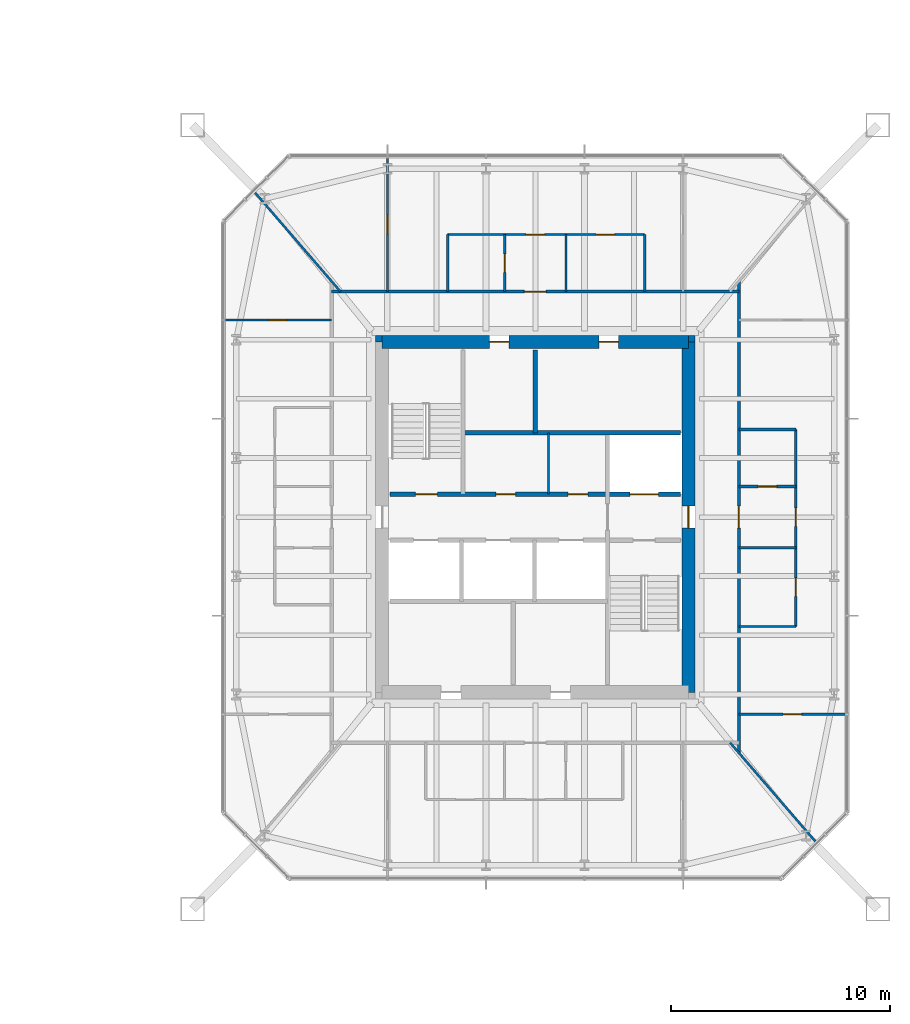
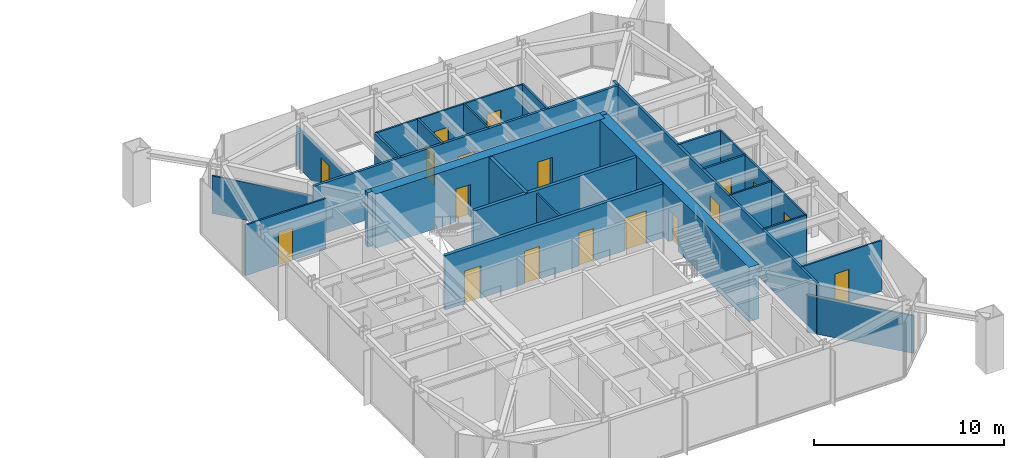
# One storey, part 18 of 25: 25 walls, 18 doors, 18 openings.
"""IFC4 building model written with IfcOpenShell, lengths in metres."""

from ifc_helpers import new_model, si_unit, direction, frame, frame_2d, origin, place, context, subcontext, project, spatial, rectangle, extrude, material, layer, layer_set, type_object, element, fill, save


model = new_model("IFC4")

# Units and contexts
model_context = context("Model", 3, precision=1e-05, world=origin(), true_north=direction((0.0, 1.0)))
body_context = subcontext(model_context, "Body", "Model", "MODEL_VIEW")
ifc_project = project(units=[si_unit("LENGTHUNIT", "METRE"), si_unit("AREAUNIT", "SQUARE_METRE"), si_unit("VOLUMEUNIT", "CUBIC_METRE"), si_unit("PLANEANGLEUNIT", "RADIAN"), si_unit("MASSUNIT", "GRAM", prefix="KILO")], contexts=[model_context])

# Site, building, storey
site_placement = place(None, origin())
site = spatial("IfcSite", under=ifc_project, at=site_placement, CompositionType="ELEMENT")
building_placement = place(site_placement, origin())
building = spatial("IfcBuilding", under=site, at=building_placement, Name="Iwan Alto Co-Living Towers", CompositionType="ELEMENT")
storey_placement = place(building_placement, frame((0.0, 0.0, 112.0)))
storey = spatial("IfcBuildingStorey", under=building, at=storey_placement, Name="L30", CompositionType="ELEMENT", Elevation=112.0)

# Wall, opening, door
ifc_material_1 = material(Name="Gypsum board")
ifc_layer_1 = layer(ifc_material_1, 0.02490234375, Name="Board", Category="Finish")
ifc_material_2 = material(Name="Steel ASTM A1003 ST33H cold-formed studs", Category="steel")
ifc_layer_2 = layer(ifc_material_2, 0.10009765625, Name="Studs", Category="Framing")
ifc_layer_3 = layer(ifc_material_1, 0.02490234375, Name="Board", Category="Finish")
ifc_layer_set_1 = layer_set([ifc_layer_1, ifc_layer_2, ifc_layer_3], Name="CORRIDOR WALL 150")
wall_type_1 = type_object("IfcWallType", Name="CORRIDOR WALL 150", PredefinedType="PARTITIONING", material=ifc_layer_set_1)
wall_1_placement = place(storey_placement, frame((53.699951171875, 10.300048828125, 0.0), z_axis=(0.0, 0.0, 1.0), x_axis=(1.0, 0.0, 0.0)))
wall_1 = element("IfcWall", 1, at=wall_1_placement, inside=storey, type_object=wall_type_1, Name="Partition L30", PredefinedType="PARTITIONING", context=body_context, shape_type="SweptSolid", body=[
    extrude(rectangle(XDim=18.60009765625, YDim=0.14990234375, at=frame_2d((9.300048828125, 0.0))), origin(), (0.0, 0.0, 1.0), 3.27001953125),
])
opening_1_placement = place(wall_1_placement, frame((8.800048828125, 0.0, 0.0)))
opening_1 = element("IfcOpeningElement", 2, at=opening_1_placement, cuts=wall_1, Name="Opening D3", PredefinedType="OPENING", context=body_context, shape_type="SweptSolid", body=[
    extrude(rectangle(XDim=1.0, YDim=2.10009765625, at=frame_2d((0.5, 1.050048828125))), frame((0.0, 0.0849609375, 0.0), z_axis=(0.0, -1.0, 0.0), x_axis=(1.0, 0.0, 0.0)), (0.0, 0.0, 1.0), 0.169921875),
])
ifc_material_3 = material(Name="Steel frame with timber leaf", Category="steel")
door_type_1 = type_object("IfcDoorType", Name="FLAT ENTRANCE DOOR FD30S 1000X2100", OperationType="SINGLE_SWING_LEFT", PredefinedType="DOOR", material=ifc_material_3)
door_1_placement = place(opening_1_placement, origin())
door_1 = element("IfcDoor", 3, at=door_1_placement, inside=storey, type_object=door_type_1, Name="Apartment foyer door L30", OperationType="SINGLE_SWING_LEFT", OverallHeight=2.10009765625, OverallWidth=1.0, PredefinedType="DOOR", context=body_context, shape_type="SweptSolid", body=[
    extrude(rectangle(XDim=1.0, YDim=2.10009765625, at=frame_2d((0.5, 1.050048828125))), frame((0.0, 0.02490234375, 0.0), z_axis=(0.0, -1.0, 0.0), x_axis=(1.0, 0.0, 0.0)), (0.0, 0.0, 1.0), 0.050048828125),
])
fill(opening_1, door_1)

wall_2_placement = place(storey_placement, frame((72.300048828125, -10.76806640625, 0.0), z_axis=(0.0, 0.0, 1.0), x_axis=(0.0, 1.0, 0.0)))
wall_2 = element("IfcWall", 4, at=wall_2_placement, inside=storey, type_object=wall_type_1, Name="Partition L30", PredefinedType="PARTITIONING", context=body_context, shape_type="SweptSolid", body=[
    extrude(rectangle(XDim=21.5361328125, YDim=0.14990234375, at=frame_2d((10.76806640625, 0.0))), origin(), (0.0, 0.0, 1.0), 3.27001953125),
])
opening_2_placement = place(wall_2_placement, frame((10.26806640625, 0.0, 0.0)))
opening_2 = element("IfcOpeningElement", 5, at=opening_2_placement, cuts=wall_2, Name="Opening D3", PredefinedType="OPENING", context=body_context, shape_type="SweptSolid", body=[
    extrude(rectangle(XDim=1.0, YDim=2.10009765625, at=frame_2d((0.5, 1.050048828125))), frame((0.0, 0.0849609375, 0.0), z_axis=(0.0, -1.0, 0.0), x_axis=(1.0, 0.0, 0.0)), (0.0, 0.0, 1.0), 0.169921875),
])
door_2_placement = place(opening_2_placement, frame((1.0, 0.0, 0.0), z_axis=(0.0, 0.0, 1.0), x_axis=(-1.0, 0.0, 0.0)))
door_2 = element("IfcDoor", 6, at=door_2_placement, inside=storey, type_object=door_type_1, Name="Apartment foyer door L30", OperationType="SINGLE_SWING_RIGHT", OverallHeight=2.10009765625, OverallWidth=1.0, PredefinedType="DOOR", context=body_context, shape_type="SweptSolid", body=[
    extrude(rectangle(XDim=1.0, YDim=2.10009765625, at=frame_2d((0.5, 1.050048828125))), frame((0.0, 0.02490234375, 0.0), z_axis=(0.0, -1.0, 0.0), x_axis=(1.0, 0.0, 0.0)), (0.0, 0.0, 1.0), 0.050048828125),
])
fill(opening_2, door_2)

ifc_layer_4 = layer(ifc_material_1, 0.012451171875, Name="Board", Category="Finish")
ifc_layer_5 = layer(ifc_material_2, 0.074951171875, Name="Studs", Category="Framing")
ifc_layer_6 = layer(ifc_material_1, 0.012451171875, Name="Board", Category="Finish")
ifc_layer_set_2 = layer_set([ifc_layer_4, ifc_layer_5, ifc_layer_6], Name="PARTITION 100")
wall_type_2 = type_object("IfcWallType", Name="PARTITION 100", PredefinedType="PARTITIONING", material=ifc_layer_set_2)
wall_3_placement = place(storey_placement, frame((72.300048828125, -9.0, 0.0), z_axis=(0.0, 0.0, 1.0), x_axis=(1.0, 0.0, 0.0)))
wall_3 = element("IfcWall", 7, at=wall_3_placement, inside=storey, type_object=wall_type_2, Name="Partition L30", PredefinedType="PARTITIONING", context=body_context, shape_type="SweptSolid", body=[
    extrude(rectangle(XDim=4.889892578125, YDim=0.10009765625, at=frame_2d((2.44482421875, 0.0))), origin(), (0.0, 0.0, 1.0), 3.27001953125),
])
opening_3_placement = place(wall_3_placement, frame((2.02001953125, 0.0, 0.0)))
opening_3 = element("IfcOpeningElement", 8, at=opening_3_placement, cuts=wall_3, Name="Opening D2", PredefinedType="OPENING", context=body_context, shape_type="SweptSolid", body=[
    extrude(rectangle(XDim=0.85009765625, YDim=2.10009765625, at=frame_2d((0.425048828125, 1.050048828125))), frame((0.0, 0.06005859375, 0.0), z_axis=(0.0, -1.0, 0.0), x_axis=(1.0, 0.0, 0.0)), (0.0, 0.0, 1.0), 0.1201171875),
])
ifc_material_4 = material(Name="Timber leaf in steel frame", Category="steel")
door_type_2 = type_object("IfcDoorType", Name="ROOM DOOR 850X2100", OperationType="SINGLE_SWING_LEFT", PredefinedType="DOOR", material=ifc_material_4)
door_3_placement = place(opening_3_placement, origin())
door_3 = element("IfcDoor", 9, at=door_3_placement, inside=storey, type_object=door_type_2, Name="Bedroom door L30", OperationType="SINGLE_SWING_LEFT", OverallHeight=2.10009765625, OverallWidth=0.85009765625, PredefinedType="DOOR", context=body_context, shape_type="SweptSolid", body=[
    extrude(rectangle(XDim=0.85009765625, YDim=2.10009765625, at=frame_2d((0.425048828125, 1.050048828125))), frame((0.0, 0.02490234375, 0.0), z_axis=(0.0, -1.0, 0.0), x_axis=(1.0, 0.0, 0.0)), (0.0, 0.0, 1.0), 0.050048828125),
])
fill(opening_3, door_3)

# Walls
for number, where, z_axis, x_axis, name in (
    (10, (72.300048828125, -5.0, 0.0), (0.0, 0.0, 1.0), (1.0, 0.0, 0.0), "Partition L30"),
    (11, (72.300048828125, -1.39990234375, 0.0), (0.0, 0.0, 1.0), (1.0, 0.0, 0.0), "Partition L30"),
):
    element("IfcWall", number, at=place(storey_placement, frame(where, z_axis=z_axis, x_axis=x_axis)), inside=storey, type_object=wall_type_2, Name=name, PredefinedType="PARTITIONING", context=body_context, shape_type="SweptSolid", body=[
        extrude(rectangle(XDim=2.599853515625, YDim=0.10009765625, at=frame_2d((1.2998046875, 0.0))), origin(), (0.0, 0.0, 1.0), 3.27001953125),
    ])

# Wall, opening, door
wall_4_placement = place(storey_placement, frame((48.81005859375, 9.0, 0.0), z_axis=(0.0, 0.0, 1.0), x_axis=(1.0, 0.0, 0.0)))
wall_4 = element("IfcWall", 12, at=wall_4_placement, inside=storey, type_object=wall_type_2, Name="Partition L30", PredefinedType="PARTITIONING", context=body_context, shape_type="SweptSolid", body=[
    extrude(rectangle(XDim=4.889892578125, YDim=0.10009765625, at=frame_2d((2.44482421875, 0.0))), origin(), (0.0, 0.0, 1.0), 3.27001953125),
])
opening_4_placement = place(wall_4_placement, frame((2.02001953125, 0.0, 0.0)))
opening_4 = element("IfcOpeningElement", 13, at=opening_4_placement, cuts=wall_4, Name="Opening D2", PredefinedType="OPENING", context=body_context, shape_type="SweptSolid", body=[
    extrude(rectangle(XDim=0.85009765625, YDim=2.10009765625, at=frame_2d((0.425048828125, 1.050048828125))), frame((0.0, 0.06005859375, 0.0), z_axis=(0.0, -1.0, 0.0), x_axis=(1.0, 0.0, 0.0)), (0.0, 0.0, 1.0), 0.1201171875),
])
door_4_placement = place(opening_4_placement, frame((0.85009765625, 0.0, 0.0), z_axis=(0.0, 0.0, 1.0), x_axis=(-1.0, 0.0, 0.0)))
door_4 = element("IfcDoor", 14, at=door_4_placement, inside=storey, type_object=door_type_2, Name="Bedroom door L30", OperationType="SINGLE_SWING_LEFT", OverallHeight=2.10009765625, OverallWidth=0.85009765625, PredefinedType="DOOR", context=body_context, shape_type="SweptSolid", body=[
    extrude(rectangle(XDim=0.85009765625, YDim=2.10009765625, at=frame_2d((0.425048828125, 1.050048828125))), frame((0.0, 0.02490234375, 0.0), z_axis=(0.0, -1.0, 0.0), x_axis=(1.0, 0.0, 0.0)), (0.0, 0.0, 1.0), 0.050048828125),
])
fill(opening_4, door_4)

# Wall, openings, doors
wall_5_placement = place(storey_placement, frame((59.0, 12.89990234375, 0.0), z_axis=(0.0, 0.0, 1.0), x_axis=(1.0, 0.0, 0.0)))
wall_5 = element("IfcWall", 15, at=wall_5_placement, inside=storey, type_object=wall_type_2, Name="Partition L30", PredefinedType="PARTITIONING", context=body_context, shape_type="SweptSolid", body=[
    extrude(rectangle(XDim=9.0, YDim=0.10009765625, at=frame_2d((4.5, 0.0))), origin(), (0.0, 0.0, 1.0), 3.27001953125),
])
opening_5_placement = place(wall_5_placement, frame((6.77490234375, 0.0, 0.0)))
opening_5 = element("IfcOpeningElement", 16, at=opening_5_placement, cuts=wall_5, Name="Opening D2", PredefinedType="OPENING", context=body_context, shape_type="SweptSolid", body=[
    extrude(rectangle(XDim=0.85009765625, YDim=2.10009765625, at=frame_2d((0.425048828125, 1.050048828125))), frame((0.0, 0.06005859375, 0.0), z_axis=(0.0, -1.0, 0.0), x_axis=(1.0, 0.0, 0.0)), (0.0, 0.0, 1.0), 0.1201171875),
])
opening_6_placement = place(wall_5_placement, frame((3.574951171875, 0.0, 0.0)))
opening_6 = element("IfcOpeningElement", 17, at=opening_6_placement, cuts=wall_5, Name="Opening D2", PredefinedType="OPENING", context=body_context, shape_type="SweptSolid", body=[
    extrude(rectangle(XDim=0.85009765625, YDim=2.10009765625, at=frame_2d((0.425048828125, 1.050048828125))), frame((0.0, 0.06005859375, 0.0), z_axis=(0.0, -1.0, 0.0), x_axis=(1.0, 0.0, 0.0)), (0.0, 0.0, 1.0), 0.1201171875),
])
door_5_placement = place(opening_5_placement, origin())
door_5 = element("IfcDoor", 18, at=door_5_placement, inside=storey, type_object=door_type_2, Name="Kitchen door L30", OperationType="SINGLE_SWING_RIGHT", OverallHeight=2.10009765625, OverallWidth=0.85009765625, PredefinedType="DOOR", context=body_context, shape_type="SweptSolid", body=[
    extrude(rectangle(XDim=0.85009765625, YDim=2.10009765625, at=frame_2d((0.425048828125, 1.050048828125))), frame((0.0, 0.02490234375, 0.0), z_axis=(0.0, -1.0, 0.0), x_axis=(1.0, 0.0, 0.0)), (0.0, 0.0, 1.0), 0.050048828125),
])
fill(opening_5, door_5)
door_6_placement = place(opening_6_placement, origin())
door_6 = element("IfcDoor", 19, at=door_6_placement, inside=storey, type_object=door_type_2, Name="Apartment foyer door L30", OperationType="SINGLE_SWING_LEFT", OverallHeight=2.10009765625, OverallWidth=0.85009765625, PredefinedType="DOOR", context=body_context, shape_type="SweptSolid", body=[
    extrude(rectangle(XDim=0.85009765625, YDim=2.10009765625, at=frame_2d((0.425048828125, 1.050048828125))), frame((0.0, 0.02490234375, 0.0), z_axis=(0.0, -1.0, 0.0), x_axis=(1.0, 0.0, 0.0)), (0.0, 0.0, 1.0), 0.050048828125),
])
fill(opening_6, door_6)

wall_6_placement = place(storey_placement, frame((74.89990234375, -5.0, 0.0), z_axis=(0.0, 0.0, 1.0), x_axis=(0.0, 1.0, 0.0)))
wall_6 = element("IfcWall", 20, at=wall_6_placement, inside=storey, type_object=wall_type_2, Name="Partition L30", PredefinedType="PARTITIONING", context=body_context, shape_type="SweptSolid", body=[
    extrude(rectangle(XDim=9.0, YDim=0.10009765625, at=frame_2d((4.5, 0.0))), origin(), (0.0, 0.0, 1.0), 3.27001953125),
])
opening_7_placement = place(wall_6_placement, frame((1.375, 0.0, 0.0)))
opening_7 = element("IfcOpeningElement", 21, at=opening_7_placement, cuts=wall_6, Name="Opening D2", PredefinedType="OPENING", context=body_context, shape_type="SweptSolid", body=[
    extrude(rectangle(XDim=0.85009765625, YDim=2.10009765625, at=frame_2d((0.425048828125, 1.050048828125))), frame((0.0, 0.06005859375, 0.0), z_axis=(0.0, -1.0, 0.0), x_axis=(1.0, 0.0, 0.0)), (0.0, 0.0, 1.0), 0.1201171875),
])
opening_8_placement = place(wall_6_placement, frame((4.574951171875, 0.0, 0.0)))
opening_8 = element("IfcOpeningElement", 22, at=opening_8_placement, cuts=wall_6, Name="Opening D2", PredefinedType="OPENING", context=body_context, shape_type="SweptSolid", body=[
    extrude(rectangle(XDim=0.85009765625, YDim=2.10009765625, at=frame_2d((0.425048828125, 1.050048828125))), frame((0.0, 0.06005859375, 0.0), z_axis=(0.0, -1.0, 0.0), x_axis=(1.0, 0.0, 0.0)), (0.0, 0.0, 1.0), 0.1201171875),
])
door_7_placement = place(opening_7_placement, frame((0.85009765625, 0.0, 0.0), z_axis=(0.0, 0.0, 1.0), x_axis=(-1.0, 0.0, 0.0)))
door_7 = element("IfcDoor", 23, at=door_7_placement, inside=storey, type_object=door_type_2, Name="Kitchen door L30", OperationType="SINGLE_SWING_RIGHT", OverallHeight=2.10009765625, OverallWidth=0.85009765625, PredefinedType="DOOR", context=body_context, shape_type="SweptSolid", body=[
    extrude(rectangle(XDim=0.85009765625, YDim=2.10009765625, at=frame_2d((0.425048828125, 1.050048828125))), frame((0.0, 0.02490234375, 0.0), z_axis=(0.0, -1.0, 0.0), x_axis=(1.0, 0.0, 0.0)), (0.0, 0.0, 1.0), 0.050048828125),
])
fill(opening_7, door_7)
door_8_placement = place(opening_8_placement, frame((0.85009765625, 0.0, 0.0), z_axis=(0.0, 0.0, 1.0), x_axis=(-1.0, 0.0, 0.0)))
door_8 = element("IfcDoor", 24, at=door_8_placement, inside=storey, type_object=door_type_2, Name="Apartment foyer door L30", OperationType="SINGLE_SWING_RIGHT", OverallHeight=2.10009765625, OverallWidth=0.85009765625, PredefinedType="DOOR", context=body_context, shape_type="SweptSolid", body=[
    extrude(rectangle(XDim=0.85009765625, YDim=2.10009765625, at=frame_2d((0.425048828125, 1.050048828125))), frame((0.0, 0.02490234375, 0.0), z_axis=(0.0, -1.0, 0.0), x_axis=(1.0, 0.0, 0.0)), (0.0, 0.0, 1.0), 0.050048828125),
])
fill(opening_8, door_8)

# Walls
for number, where, z_axis, x_axis, name in (
    (25, (68.0, 10.300048828125, 0.0), (0.0, 0.0, 1.0), (0.0, 1.0, 0.0), "Partition L30"),
    (26, (64.39990234375, 10.300048828125, 0.0), (0.0, 0.0, 1.0), (0.0, 1.0, 0.0), "Partition L30"),
):
    element("IfcWall", number, at=place(storey_placement, frame(where, z_axis=z_axis, x_axis=x_axis)), inside=storey, type_object=wall_type_2, Name=name, PredefinedType="PARTITIONING", context=body_context, shape_type="SweptSolid", body=[
        extrude(rectangle(XDim=2.599853515625, YDim=0.10009765625, at=frame_2d((1.2998046875, 0.0))), origin(), (0.0, 0.0, 1.0), 3.27001953125),
    ])
wall_7_placement = place(storey_placement, frame((63.60009765625, 1.050048828125, 0.0), z_axis=(0.0, 0.0, 1.0), x_axis=(0.0, 1.0, 0.0)))
element("IfcWall", 27, at=wall_7_placement, inside=storey, type_object=wall_type_2, Name="Partition L30", PredefinedType="PARTITIONING", context=body_context, shape_type="SweptSolid", body=[
    extrude(rectangle(XDim=2.800048828125, YDim=0.10009765625, at=frame_2d((1.39990234375, 0.0))), origin(), (0.0, 0.0, 1.0), 3.300048828125),
])

# Wall, opening, door
wall_8_placement = place(storey_placement, frame((56.25, 10.300048828125, 0.0), z_axis=(0.0, 0.0, 1.0), x_axis=(0.0, 1.0, 0.0)))
wall_8 = element("IfcWall", 28, at=wall_8_placement, inside=storey, type_object=wall_type_2, Name="Partition L30", PredefinedType="PARTITIONING", context=body_context, shape_type="SweptSolid", body=[
    extrude(rectangle(XDim=6.139892578125, YDim=0.10009765625, at=frame_2d((3.06982421875, 0.0))), origin(), (0.0, 0.0, 1.0), 2.586669921875),
])
opening_9_placement = place(wall_8_placement, frame((2.64501953125, 0.0, 0.0)))
opening_9 = element("IfcOpeningElement", 29, at=opening_9_placement, cuts=wall_8, Name="Opening D2", PredefinedType="OPENING", context=body_context, shape_type="SweptSolid", body=[
    extrude(rectangle(XDim=0.85009765625, YDim=2.10009765625, at=frame_2d((0.425048828125, 1.050048828125))), frame((0.0, 0.06005859375, 0.0), z_axis=(0.0, -1.0, 0.0), x_axis=(1.0, 0.0, 0.0)), (0.0, 0.0, 1.0), 0.1201171875),
])
door_9_placement = place(opening_9_placement, frame((0.85009765625, 0.0, 0.0), z_axis=(0.0, 0.0, 1.0), x_axis=(-1.0, 0.0, 0.0)))
door_9 = element("IfcDoor", 30, at=door_9_placement, inside=storey, type_object=door_type_2, Name="Bedroom door L30", OperationType="SINGLE_SWING_RIGHT", OverallHeight=2.10009765625, OverallWidth=0.85009765625, PredefinedType="DOOR", context=body_context, shape_type="SweptSolid", body=[
    extrude(rectangle(XDim=0.85009765625, YDim=2.10009765625, at=frame_2d((0.425048828125, 1.050048828125))), frame((0.0, 0.02490234375, 0.0), z_axis=(0.0, -1.0, 0.0), x_axis=(1.0, 0.0, 0.0)), (0.0, 0.0, 1.0), 0.050048828125),
])
fill(opening_9, door_9)

# Walls
wall_9_placement = place(storey_placement, frame((54.10498046875, 10.300048828125, 0.0), z_axis=(0.0, 0.0, 1.0), x_axis=(-0.653606109319, 0.756834892074, 0.0)))
element("IfcWall", 31, at=wall_9_placement, inside=storey, type_object=wall_type_2, Name="Partition L30", PredefinedType="PARTITIONING", context=body_context, shape_type="SweptSolid", body=[
    extrude(rectangle(XDim=6.0048828125, YDim=0.10009765625, at=frame_2d((3.00244140625, 0.0))), origin(), (0.0, 0.0, 1.0), 2.42919921875),
])
wall_10_placement = place(storey_placement, frame((75.821044921875, -14.843994140625, 0.0), z_axis=(0.0, 0.0, 1.0), x_axis=(-0.65378286253, 0.756682211144, 0.0)))
element("IfcWall", 32, at=wall_10_placement, inside=storey, type_object=wall_type_2, Name="Partition L30", PredefinedType="PARTITIONING", context=body_context, shape_type="SweptSolid", body=[
    extrude(rectangle(XDim=6.005126953125, YDim=0.10009765625, at=frame_2d((3.00244140625, 0.0))), origin(), (0.0, 0.0, 1.0), 2.42919921875),
])

# Wall, openings, doors
ifc_material_5 = material(Name="Concrete f'c 70 MPa", Category="concrete")
ifc_layer_7 = layer(ifc_material_5, 0.199951171875)
ifc_layer_set_3 = layer_set([ifc_layer_7], Name="SHAFT WALL 200")
wall_type_3 = type_object("IfcWallType", Name="SHAFT WALL 200", PredefinedType="SOLIDWALL", material=ifc_layer_set_3)
wall_11_placement = place(storey_placement, frame((56.360107421875, 1.050048828125, 0.0), z_axis=(0.0, 0.0, 1.0), x_axis=(1.0, 0.0, 0.0)))
wall_11 = element("IfcWall", 33, at=wall_11_placement, inside=storey, type_object=wall_type_3, Name="Shaft wall L30", PredefinedType="SOLIDWALL", context=body_context, shape_type="SweptSolid", body=[
    extrude(rectangle(XDim=13.27978515625, YDim=0.199951171875, at=frame_2d((6.639892578125, 0.0))), origin(), (0.0, 0.0, 1.0), 3.5),
])
opening_10_placement = place(wall_11_placement, frame((1.169921875, 0.0, 0.0)))
opening_10 = element("IfcOpeningElement", 34, at=opening_10_placement, cuts=wall_11, Name="Opening D5", PredefinedType="OPENING", context=body_context, shape_type="SweptSolid", body=[
    extrude(rectangle(XDim=1.0, YDim=2.10009765625, at=frame_2d((0.5, 1.050048828125))), frame((0.0, 0.10986328125, 0.0), z_axis=(0.0, -1.0, 0.0), x_axis=(1.0, 0.0, 0.0)), (0.0, 0.0, 1.0), 0.219970703125),
])
opening_11_placement = place(wall_11_placement, frame((4.840087890625, 0.0, 0.0)))
opening_11 = element("IfcOpeningElement", 35, at=opening_11_placement, cuts=wall_11, Name="Opening D8", PredefinedType="OPENING", context=body_context, shape_type="SweptSolid", body=[
    extrude(rectangle(XDim=0.89990234375, YDim=2.10009765625, at=frame_2d((0.449951171875, 1.050048828125))), frame((0.0, 0.10986328125, 0.0), z_axis=(0.0, -1.0, 0.0), x_axis=(1.0, 0.0, 0.0)), (0.0, 0.0, 1.0), 0.219970703125),
])
opening_12_placement = place(wall_11_placement, frame((8.139892578125, 0.0, 0.0)))
opening_12 = element("IfcOpeningElement", 36, at=opening_12_placement, cuts=wall_11, Name="Opening D15", PredefinedType="OPENING", context=body_context, shape_type="SweptSolid", body=[
    extrude(rectangle(XDim=0.89990234375, YDim=2.10009765625, at=frame_2d((0.449951171875, 1.050048828125))), frame((0.0, 0.10986328125, 0.0), z_axis=(0.0, -1.0, 0.0), x_axis=(1.0, 0.0, 0.0)), (0.0, 0.0, 1.0), 0.219970703125),
])
opening_13_placement = place(wall_11_placement, frame((10.9599609375, 0.0, 0.0)))
opening_13 = element("IfcOpeningElement", 37, at=opening_13_placement, cuts=wall_11, Name="Opening LD2", PredefinedType="OPENING", context=body_context, shape_type="SweptSolid", body=[
    extrude(rectangle(XDim=1.300048828125, YDim=2.10009765625, at=frame_2d((0.64990234375, 1.050048828125))), frame((0.0, 0.10986328125, 0.0), z_axis=(0.0, -1.0, 0.0), x_axis=(1.0, 0.0, 0.0)), (0.0, 0.0, 1.0), 0.219970703125),
])
ifc_material_6 = material(Name="Steel frame with timber leaf", Category="steel")
door_type_3 = type_object("IfcDoorType", Name="CORE ROOM DOOR FD60S 900X2100", OperationType="SINGLE_SWING_LEFT", PredefinedType="DOOR", material=ifc_material_6)
door_10_placement = place(opening_12_placement, origin())
door_10 = element("IfcDoor", 38, at=door_10_placement, inside=storey, type_object=door_type_3, Name="Housekeeping store door L30", OperationType="SINGLE_SWING_LEFT", OverallHeight=2.10009765625, OverallWidth=0.89990234375, PredefinedType="DOOR", context=body_context, shape_type="SweptSolid", body=[
    extrude(rectangle(XDim=0.89990234375, YDim=2.10009765625, at=frame_2d((0.449951171875, 1.050048828125))), frame((0.0, 0.02490234375, 0.0), z_axis=(0.0, -1.0, 0.0), x_axis=(1.0, 0.0, 0.0)), (0.0, 0.0, 1.0), 0.050048828125),
])
fill(opening_12, door_10)
ifc_material_7 = material(Name="Steel frame with timber leaf", Category="steel")
door_type_4 = type_object("IfcDoorType", Name="LIFT LANDING DOOR 1300X2100", OperationType="SLIDING_TO_LEFT", PredefinedType="DOOR", material=ifc_material_7)
door_11_placement = place(opening_13_placement, origin())
door_11 = element("IfcDoor", 39, at=door_11_placement, inside=storey, type_object=door_type_4, Name="Lift FL2 landing door L30", OperationType="SLIDING_TO_LEFT", OverallHeight=2.10009765625, OverallWidth=1.300048828125, PredefinedType="DOOR", context=body_context, shape_type="SweptSolid", body=[
    extrude(rectangle(XDim=1.300048828125, YDim=2.10009765625, at=frame_2d((0.64990234375, 1.050048828125))), frame((0.0, 0.02490234375, 0.0), z_axis=(0.0, -1.0, 0.0), x_axis=(1.0, 0.0, 0.0)), (0.0, 0.0, 1.0), 0.050048828125),
])
fill(opening_13, door_11)
ifc_material_8 = material(Name="Steel frame with timber leaf", Category="steel")
door_type_5 = type_object("IfcDoorType", Name="RISER DOOR FD120 900X2100", OperationType="SINGLE_SWING_LEFT", PredefinedType="DOOR", material=ifc_material_8)
door_12_placement = place(opening_11_placement, origin())
door_12 = element("IfcDoor", 40, at=door_12_placement, inside=storey, type_object=door_type_5, Name="Riser room door L30", OperationType="SINGLE_SWING_LEFT", OverallHeight=2.10009765625, OverallWidth=0.89990234375, PredefinedType="DOOR", context=body_context, shape_type="SweptSolid", body=[
    extrude(rectangle(XDim=0.89990234375, YDim=2.10009765625, at=frame_2d((0.449951171875, 1.050048828125))), frame((0.0, 0.02490234375, 0.0), z_axis=(0.0, -1.0, 0.0), x_axis=(1.0, 0.0, 0.0)), (0.0, 0.0, 1.0), 0.050048828125),
])
fill(opening_11, door_12)
ifc_material_9 = material(Name="Steel frame with timber leaf", Category="steel")
door_type_6 = type_object("IfcDoorType", Name="STAIR DOOR FD120S 1000X2100", OperationType="SINGLE_SWING_LEFT", PredefinedType="DOOR", material=ifc_material_9)
door_13_placement = place(opening_10_placement, origin())
door_13 = element("IfcDoor", 41, at=door_13_placement, inside=storey, type_object=door_type_6, Name="Stair S1 door L30", OperationType="SINGLE_SWING_RIGHT", OverallHeight=2.10009765625, OverallWidth=1.0, PredefinedType="DOOR", context=body_context, shape_type="SweptSolid", body=[
    extrude(rectangle(XDim=1.0, YDim=2.10009765625, at=frame_2d((0.5, 1.050048828125))), frame((0.0, 0.02490234375, 0.0), z_axis=(0.0, -1.0, 0.0), x_axis=(1.0, 0.0, 0.0)), (0.0, 0.0, 1.0), 0.050048828125),
])
fill(opening_10, door_13)

# Walls
wall_12_placement = place(storey_placement, frame((59.699951171875, 3.85009765625, 0.0), z_axis=(0.0, 0.0, 1.0), x_axis=(1.0, 0.0, 0.0)))
element("IfcWall", 42, at=wall_12_placement, inside=storey, type_object=wall_type_3, Name="Shaft wall L30", PredefinedType="SOLIDWALL", context=body_context, shape_type="SweptSolid", body=[
    extrude(rectangle(XDim=9.93994140625, YDim=0.199951171875, at=frame_2d((4.969970703125, 0.0))), origin(), (0.0, 0.0, 1.0), 3.5),
])
wall_13_placement = place(storey_placement, frame((63.0, 3.85009765625, 0.0), z_axis=(0.0, 0.0, 1.0), x_axis=(0.0, 1.0, 0.0)))
element("IfcWall", 43, at=wall_13_placement, inside=storey, type_object=wall_type_3, Name="Shaft wall L30", PredefinedType="SOLIDWALL", context=body_context, shape_type="SweptSolid", body=[
    extrude(rectangle(XDim=3.789794921875, YDim=0.199951171875, at=frame_2d((1.89501953125, 0.0))), origin(), (0.0, 0.0, 1.0), 3.5),
])
ifc_material_10 = material(Name="Concrete f'c 70 MPa", Category="concrete")
ifc_layer_8 = layer(ifc_material_10, 0.300048828125)
ifc_layer_set_4 = layer_set([ifc_layer_8], Name="T2 CORE CORNER FILL 300")
wall_type_4 = type_object("IfcWallType", Name="T2 CORE CORNER FILL 300", PredefinedType="SOLIDWALL", material=ifc_layer_set_4)
for number, where, z_axis, x_axis, name in (
    (44, (70.0, 8.14990234375, 0.0), (0.0, 0.0, 1.0), (1.0, 0.0, 0.0), "T2 core corner NE L30"),
    (45, (55.699951171875, 8.14990234375, 0.0), (0.0, 0.0, 1.0), (1.0, 0.0, 0.0), "T2 core corner NW L30"),
):
    element("IfcWall", number, at=place(storey_placement, frame(where, z_axis=z_axis, x_axis=x_axis)), inside=storey, type_object=wall_type_4, Name=name, PredefinedType="SOLIDWALL", context=body_context, shape_type="SweptSolid", body=[
        extrude(rectangle(XDim=0.300048828125, YDim=0.300048828125, at=frame_2d((0.14990234375, 0.0))), origin(), (0.0, 0.0, 1.0), 3.5),
    ])

# Wall, openings, doors
ifc_material_11 = material(Name="Concrete f'c 70 MPa", Category="concrete")
ifc_layer_9 = layer(ifc_material_11, 0.60009765625)
ifc_layer_set_5 = layer_set([ifc_layer_9], Name="T2 CORE WALL 600")
wall_type_5 = type_object("IfcWallType", Name="T2 CORE WALL 600", PredefinedType="SHEAR", material=ifc_layer_set_5)
wall_14_placement = place(storey_placement, frame((70.0, 8.0, 0.0), z_axis=(0.0, 0.0, 1.0), x_axis=(-1.0, 0.0, 0.0)))
wall_14 = element("IfcWall", 46, at=wall_14_placement, inside=storey, type_object=wall_type_5, Name="T2 core wall N L30", PredefinedType="SHEAR", context=body_context, shape_type="SweptSolid", body=[
    extrude(rectangle(XDim=14.0, YDim=0.60009765625, at=frame_2d((7.0, 0.0))), origin(), (0.0, 0.0, 1.0), 3.5),
])
opening_14_placement = place(wall_14_placement, frame((8.199951171875, 0.0, 0.0)))
opening_14 = element("IfcOpeningElement", 47, at=opening_14_placement, cuts=wall_14, Name="Opening D8", PredefinedType="OPENING", context=body_context, shape_type="SweptSolid", body=[
    extrude(rectangle(XDim=0.89990234375, YDim=2.10009765625, at=frame_2d((0.449951171875, 1.050048828125))), frame((0.0, 0.31005859375, 0.0), z_axis=(0.0, -1.0, 0.0), x_axis=(1.0, 0.0, 0.0)), (0.0, 0.0, 1.0), 0.6201171875),
])
opening_15_placement = place(wall_14_placement, frame((3.199951171875, 0.0, 0.0)))
opening_15 = element("IfcOpeningElement", 48, at=opening_15_placement, cuts=wall_14, Name="Opening D8", PredefinedType="OPENING", context=body_context, shape_type="SweptSolid", body=[
    extrude(rectangle(XDim=0.89990234375, YDim=2.10009765625, at=frame_2d((0.449951171875, 1.050048828125))), frame((0.0, 0.31005859375, 0.0), z_axis=(0.0, -1.0, 0.0), x_axis=(1.0, 0.0, 0.0)), (0.0, 0.0, 1.0), 0.6201171875),
])
door_14_placement = place(opening_14_placement, origin())
door_14 = element("IfcDoor", 49, at=door_14_placement, inside=storey, type_object=door_type_5, Name="Electrical riser core door L30", OperationType="SINGLE_SWING_RIGHT", OverallHeight=2.10009765625, OverallWidth=0.89990234375, PredefinedType="DOOR", context=body_context, shape_type="SweptSolid", body=[
    extrude(rectangle(XDim=0.89990234375, YDim=2.10009765625, at=frame_2d((0.449951171875, 1.050048828125))), frame((0.0, 0.02490234375, 0.0), z_axis=(0.0, -1.0, 0.0), x_axis=(1.0, 0.0, 0.0)), (0.0, 0.0, 1.0), 0.050048828125),
])
fill(opening_14, door_14)
door_15_placement = place(opening_15_placement, origin())
door_15 = element("IfcDoor", 50, at=door_15_placement, inside=storey, type_object=door_type_5, Name="Water and drainage riser core door L30", OperationType="SINGLE_SWING_RIGHT", OverallHeight=2.10009765625, OverallWidth=0.89990234375, PredefinedType="DOOR", context=body_context, shape_type="SweptSolid", body=[
    extrude(rectangle(XDim=0.89990234375, YDim=2.10009765625, at=frame_2d((0.449951171875, 1.050048828125))), frame((0.0, 0.02490234375, 0.0), z_axis=(0.0, -1.0, 0.0), x_axis=(1.0, 0.0, 0.0)), (0.0, 0.0, 1.0), 0.050048828125),
])
fill(opening_15, door_15)

# Wall, opening, door
wall_15_placement = place(storey_placement, frame((70.0, -8.0, 0.0), z_axis=(0.0, 0.0, 1.0), x_axis=(0.0, 1.0, 0.0)))
wall_15 = element("IfcWall", 51, at=wall_15_placement, inside=storey, type_object=wall_type_5, Name="T2 core wall E L30", PredefinedType="SHEAR", context=body_context, shape_type="SweptSolid", body=[
    extrude(rectangle(XDim=16.0, YDim=0.60009765625, at=frame_2d((8.0, 0.0))), origin(), (0.0, 0.0, 1.0), 3.5),
])
opening_16_placement = place(wall_15_placement, frame((7.5, 0.0, 0.0)))
opening_16 = element("IfcOpeningElement", 52, at=opening_16_placement, cuts=wall_15, Name="Opening D7", PredefinedType="OPENING", context=body_context, shape_type="SweptSolid", body=[
    extrude(rectangle(XDim=1.0, YDim=2.10009765625, at=frame_2d((0.5, 1.050048828125))), frame((0.0, 0.31005859375, 0.0), z_axis=(0.0, -1.0, 0.0), x_axis=(1.0, 0.0, 0.0)), (0.0, 0.0, 1.0), 0.6201171875),
])
ifc_material_12 = material(Name="Steel frame with timber leaf", Category="steel")
door_type_7 = type_object("IfcDoorType", Name="CORE DOOR FD120S 1000X2100", OperationType="SINGLE_SWING_LEFT", PredefinedType="DOOR", material=ifc_material_12)
door_16_placement = place(opening_16_placement, origin())
door_16 = element("IfcDoor", 53, at=door_16_placement, inside=storey, type_object=door_type_7, Name="Firefighting lobby core door L30", OperationType="SINGLE_SWING_LEFT", OverallHeight=2.10009765625, OverallWidth=1.0, PredefinedType="DOOR", context=body_context, shape_type="SweptSolid", body=[
    extrude(rectangle(XDim=1.0, YDim=2.10009765625, at=frame_2d((0.5, 1.050048828125))), frame((0.0, 0.02490234375, 0.0), z_axis=(0.0, -1.0, 0.0), x_axis=(1.0, 0.0, 0.0)), (0.0, 0.0, 1.0), 0.050048828125),
])
fill(opening_16, door_16)

ifc_material_13 = material(Name="Cement board")
ifc_layer_10 = layer(ifc_material_13, 0.012451171875, Name="Board", Category="Finish")
ifc_layer_11 = layer(ifc_material_2, 0.094970703125, Name="Studs", Category="Framing")
ifc_layer_12 = layer(ifc_material_13, 0.012451171875, Name="Board", Category="Finish")
ifc_layer_set_6 = layer_set([ifc_layer_10, ifc_layer_11, ifc_layer_12], Name="WET AREA PARTITION 120")
wall_type_6 = type_object("IfcWallType", Name="WET AREA PARTITION 120", PredefinedType="PARTITIONING", material=ifc_layer_set_6)
wall_16_placement = place(storey_placement, frame((72.300048828125, 1.39990234375, 0.0), z_axis=(0.0, 0.0, 1.0), x_axis=(1.0, 0.0, 0.0)))
wall_16 = element("IfcWall", 54, at=wall_16_placement, inside=storey, type_object=wall_type_6, Name="Partition L30", PredefinedType="PARTITIONING", context=body_context, shape_type="SweptSolid", body=[
    extrude(rectangle(XDim=2.599853515625, YDim=0.1201171875, at=frame_2d((1.2998046875, 0.0))), origin(), (0.0, 0.0, 1.0), 3.27001953125),
])
opening_17_placement = place(wall_16_placement, frame((0.875, 0.0, 0.0)))
opening_17 = element("IfcOpeningElement", 55, at=opening_17_placement, cuts=wall_16, Name="Opening D2", PredefinedType="OPENING", context=body_context, shape_type="SweptSolid", body=[
    extrude(rectangle(XDim=0.85009765625, YDim=2.10009765625, at=frame_2d((0.425048828125, 1.050048828125))), frame((0.0, 0.070068359375, 0.0), z_axis=(0.0, -1.0, 0.0), x_axis=(1.0, 0.0, 0.0)), (0.0, 0.0, 1.0), 0.14013671875),
])
door_17_placement = place(opening_17_placement, origin())
door_17 = element("IfcDoor", 56, at=door_17_placement, inside=storey, type_object=door_type_2, Name="Bathroom door L30", OperationType="SINGLE_SWING_LEFT", OverallHeight=2.10009765625, OverallWidth=0.85009765625, PredefinedType="DOOR", context=body_context, shape_type="SweptSolid", body=[
    extrude(rectangle(XDim=0.85009765625, YDim=2.10009765625, at=frame_2d((0.425048828125, 1.050048828125))), frame((0.0, 0.02490234375, 0.0), z_axis=(0.0, -1.0, 0.0), x_axis=(1.0, 0.0, 0.0)), (0.0, 0.0, 1.0), 0.050048828125),
])
fill(opening_17, door_17)

# Wall
wall_17_placement = place(storey_placement, frame((72.300048828125, 4.0, 0.0), z_axis=(0.0, 0.0, 1.0), x_axis=(1.0, 0.0, 0.0)))
element("IfcWall", 57, at=wall_17_placement, inside=storey, type_object=wall_type_6, Name="Partition L30", PredefinedType="PARTITIONING", context=body_context, shape_type="SweptSolid", body=[
    extrude(rectangle(XDim=2.599853515625, YDim=0.1201171875, at=frame_2d((1.2998046875, 0.0))), origin(), (0.0, 0.0, 1.0), 3.27001953125),
])

# Wall, opening, door
wall_18_placement = place(storey_placement, frame((61.60009765625, 10.300048828125, 0.0), z_axis=(0.0, 0.0, 1.0), x_axis=(0.0, 1.0, 0.0)))
wall_18 = element("IfcWall", 58, at=wall_18_placement, inside=storey, type_object=wall_type_6, Name="Partition L30", PredefinedType="PARTITIONING", context=body_context, shape_type="SweptSolid", body=[
    extrude(rectangle(XDim=2.599853515625, YDim=0.1201171875, at=frame_2d((1.2998046875, 0.0))), origin(), (0.0, 0.0, 1.0), 3.27001953125),
])
opening_18_placement = place(wall_18_placement, frame((0.875, 0.0, 0.0)))
opening_18 = element("IfcOpeningElement", 59, at=opening_18_placement, cuts=wall_18, Name="Opening D2", PredefinedType="OPENING", context=body_context, shape_type="SweptSolid", body=[
    extrude(rectangle(XDim=0.85009765625, YDim=2.10009765625, at=frame_2d((0.425048828125, 1.050048828125))), frame((0.0, 0.070068359375, 0.0), z_axis=(0.0, -1.0, 0.0), x_axis=(1.0, 0.0, 0.0)), (0.0, 0.0, 1.0), 0.14013671875),
])
door_18_placement = place(opening_18_placement, origin())
door_18 = element("IfcDoor", 60, at=door_18_placement, inside=storey, type_object=door_type_2, Name="Bathroom door L30", OperationType="SINGLE_SWING_LEFT", OverallHeight=2.10009765625, OverallWidth=0.85009765625, PredefinedType="DOOR", context=body_context, shape_type="SweptSolid", body=[
    extrude(rectangle(XDim=0.85009765625, YDim=2.10009765625, at=frame_2d((0.425048828125, 1.050048828125))), frame((0.0, 0.02490234375, 0.0), z_axis=(0.0, -1.0, 0.0), x_axis=(1.0, 0.0, 0.0)), (0.0, 0.0, 1.0), 0.050048828125),
])
fill(opening_18, door_18)

# Wall
wall_19_placement = place(storey_placement, frame((59.0, 10.300048828125, 0.0), z_axis=(0.0, 0.0, 1.0), x_axis=(0.0, 1.0, 0.0)))
element("IfcWall", 61, at=wall_19_placement, inside=storey, type_object=wall_type_6, Name="Partition L30", PredefinedType="PARTITIONING", context=body_context, shape_type="SweptSolid", body=[
    extrude(rectangle(XDim=2.599853515625, YDim=0.1201171875, at=frame_2d((1.2998046875, 0.0))), origin(), (0.0, 0.0, 1.0), 3.27001953125),
])

save(model, "model.ifc")
